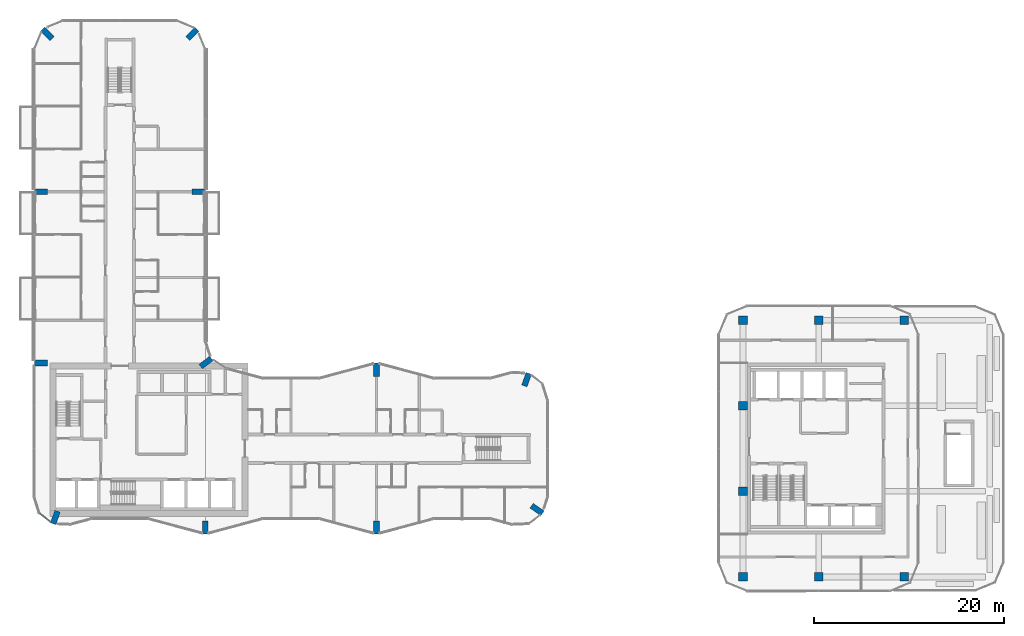
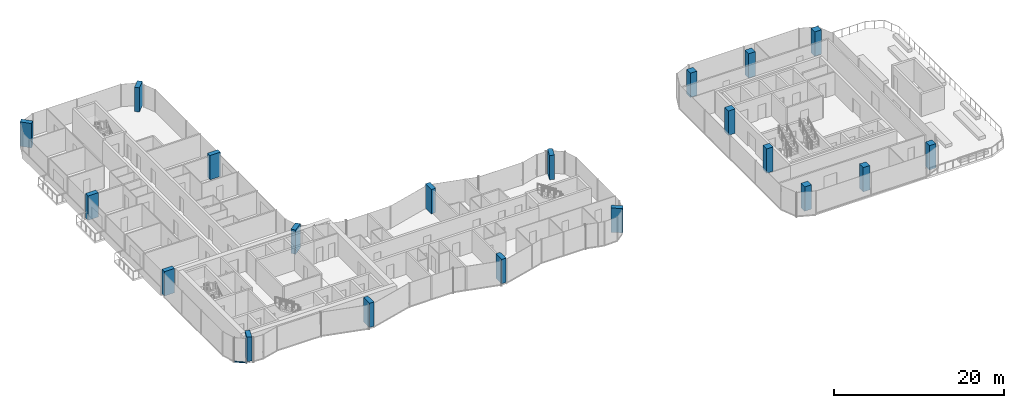
# One storey, part 1 of 22: 20 columns, 1 member, 1 element without a shape of its own.
"""IFC4 building model written with IfcOpenShell, lengths in metres."""

import ifcopenshell
import ifcopenshell.guid

model = None  # the IFC model being written
_history = None  # IfcOwnerHistory: only IFC2X3 demands one
_inside = {}  # id of a spatial element -> (the spatial element, [elements in it])
_under = {}  # id of a project, library or spatial element -> (it, [spatial elements below it])
_declared = {}  # id of a project -> (the project, [libraries it declares])
_typed = {}  # id of a type object -> (the type object, [elements of that type])
_made_of = {}  # id of a material, layer set ... -> (it, [elements and type objects made of it])


def new_model(schema):
    """Start an empty IFC model of exactly this schema.

    Asked for "IFC4X3", IfcOpenShell would pick the latest addendum, in which some entities
    have other attributes; the version numbers below select the first issue.
    IFC2X3 requires an IfcOwnerHistory on every rooted entity: one is made here for all.
    """
    global model, _history
    if schema == "IFC4X3":
        model = ifcopenshell.file(schema_version=(4, 3, 0, 0))
    else:
        model = ifcopenshell.file(schema=schema)
    _inside.clear()
    _under.clear()
    _declared.clear()
    _typed.clear()
    _made_of.clear()
    _history = None
    if model.schema == "IFC2X3":
        org = make("IfcOrganization", Name="unknown")
        user = make(
            "IfcPersonAndOrganization",
            ThePerson=make("IfcPerson", FamilyName="unknown"),
            TheOrganization=org,
        )
        app = make(
            "IfcApplication",
            ApplicationDeveloper=org,
            Version="unknown",
            ApplicationFullName="unknown",
            ApplicationIdentifier="unknown",
        )
        _history = make(
            "IfcOwnerHistory",
            OwningUser=user,
            OwningApplication=app,
            ChangeAction="ADDED",
            CreationDate=0,
        )
    return model


def make(cls, **values):
    """One entity of the class cls with the attributes given. An attribute that is None is left unset."""
    return model.create_entity(
        cls, **{name: value for name, value in values.items() if value is not None}
    )


def rooted(cls, **values):
    """An entity with a GlobalId (a new one), such as an element, a storey or a relation."""
    return make(cls, GlobalId=ifcopenshell.guid.new(), OwnerHistory=_history, **values)


def si_unit(unit_type, name, prefix=None):
    """IfcSIUnit, for example si_unit("LENGTHUNIT", "METRE", prefix="MILLI")."""
    return make("IfcSIUnit", UnitType=unit_type, Prefix=prefix, Name=name)


def assignment(units):
    """IfcUnitAssignment: the units of a project."""
    return None if units is None else make("IfcUnitAssignment", Units=units)


def point(xyz):
    """IfcCartesianPoint."""
    return None if xyz is None else make("IfcCartesianPoint", Coordinates=xyz)


def direction(xyz):
    """IfcDirection."""
    return None if xyz is None else make("IfcDirection", DirectionRatios=xyz)


def frame(location, z_axis=None, x_axis=None):
    """IfcAxis2Placement3D, a coordinate frame: its origin and axes. An axis left out is left unset."""
    return make(
        "IfcAxis2Placement3D",
        Location=point(location),
        Axis=direction(z_axis),
        RefDirection=direction(x_axis),
    )


def frame_2d(location, x_axis=None):
    """IfcAxis2Placement2D, a coordinate frame in the plane: its origin and x axis."""
    return make(
        "IfcAxis2Placement2D", Location=point(location), RefDirection=direction(x_axis)
    )


def origin():
    """The frame at (0, 0, 0) with its axes left unset."""
    return frame((0.0, 0.0, 0.0))


def origin_2d():
    """The frame at (0, 0) in the plane with its x axis left unset."""
    return frame_2d((0.0, 0.0))


def place(relative_to, where):
    """IfcLocalPlacement: puts the frame where relative to a parent placement (None: the world)."""
    return make(
        "IfcLocalPlacement", PlacementRelTo=relative_to, RelativePlacement=where
    )


def context(
    kind, dimensions, precision=None, world=None, true_north=None, identifier=None
):
    """IfcGeometricRepresentationContext, for example the 3D "Model" context."""
    return make(
        "IfcGeometricRepresentationContext",
        ContextIdentifier=identifier,
        ContextType=kind,
        CoordinateSpaceDimension=dimensions,
        Precision=precision,
        WorldCoordinateSystem=world,
        TrueNorth=true_north,
    )


def subcontext(parent, identifier, kind, view, scale=None):
    """IfcGeometricRepresentationSubContext, for example "Body" below "Model"."""
    return make(
        "IfcGeometricRepresentationSubContext",
        ContextIdentifier=identifier,
        ContextType=kind,
        ParentContext=parent,
        TargetScale=scale,
        TargetView=view,
    )


def project(units=None, contexts=None):
    """IfcProject with its units and contexts."""
    return rooted(
        "IfcProject",
        Name="project",
        RepresentationContexts=contexts,
        UnitsInContext=assignment(units),
    )


def spatial(cls, under=None, at=None, **own):
    """A site, building, storey or space (cls), placed at a placement, below another one or the project."""
    s = rooted(cls, ObjectPlacement=at, **own)
    if under is not None:
        _under.setdefault(under.id(), (under, []))[1].append(s)
    return s


def profile(cls, at=None, kind="AREA", **sizes):
    """A parametric profile (cls). Its sizes go by their IFC names, for example OverallWidth=200.0."""
    return make(cls, ProfileType=kind, Position=at, **sizes)


def rectangle(**sizes):
    """IfcRectangleProfileDef."""
    return profile("IfcRectangleProfileDef", **sizes)


def extrude(swept, where, along, depth):
    """IfcExtrudedAreaSolid: the profile swept, set in the frame where, extruded along a direction by depth."""
    return make(
        "IfcExtrudedAreaSolid",
        SweptArea=swept,
        Position=where,
        ExtrudedDirection=direction(along),
        Depth=depth,
    )


def shape(context_of_items, identifier, shape_type, items):
    """IfcShapeRepresentation: the items that make up one representation, for example the "Body"."""
    return make(
        "IfcShapeRepresentation",
        ContextOfItems=context_of_items,
        RepresentationIdentifier=identifier,
        RepresentationType=shape_type,
        Items=items,
    )


def material(Name=None, Category=None):
    """IfcMaterial."""
    return make("IfcMaterial", Name=Name, Category=Category)


def layer(
    of_material, thickness, ventilated=None, Name=None, Category=None, Priority=None
):
    """IfcMaterialLayer: one layer of a wall or slab, of a material (None: an air gap)."""
    return make(
        "IfcMaterialLayer",
        Material=of_material,
        LayerThickness=thickness,
        IsVentilated=ventilated,
        Name=Name,
        Category=Category,
        Priority=Priority,
    )


def layer_set(layers, Name=None):
    """IfcMaterialLayerSet."""
    return make("IfcMaterialLayerSet", MaterialLayers=layers, LayerSetName=Name)


def material_profile(
    of_material, cross_section, Name=None, Category=None, Priority=None
):
    """IfcMaterialProfile: a cross section and its material."""
    return make(
        "IfcMaterialProfile",
        Name=Name,
        Material=of_material,
        Profile=cross_section,
        Priority=Priority,
        Category=Category,
    )


def profile_set(profiles, Name=None, composite=None):
    """IfcMaterialProfileSet."""
    return make(
        "IfcMaterialProfileSet",
        Name=Name,
        MaterialProfiles=profiles,
        CompositeProfile=composite,
    )


def made_of(thing, what):
    """Note that an element or type object is made of a material, layer set ...; save() writes the relation."""
    if what is not None:
        _made_of.setdefault(what.id(), (what, []))[1].append(thing)
    return thing


def type_object(cls, material=None, **own):
    """A type object (cls), such as IfcWallType, which elements share."""
    return made_of(rooted(cls, **own), material)


def element(
    cls,
    number,
    at=None,
    inside=None,
    cuts=None,
    type_object=None,
    material=None,
    context=None,
    identifier="Body",
    shape_type=None,
    held_by="IfcProductDefinitionShape",
    body=None,
    shapes=None,
    **own,
):
    """One element of the class cls, such as IfcWall. Its Tag is "e" and its number.

    at: its placement. inside: the storey or other place that contains it. cuts: it is an
    opening in that element (IfcRelVoidsElement). A single representation is given by context,
    identifier, shape_type and body (its items); several are given by shapes. held_by: the class
    of the entity that holds the representations. save() writes the other relations.
    """
    e = rooted(cls, Tag="e%d" % number, ObjectPlacement=at, **own)
    if body is not None:
        shapes = [shape(context, identifier, shape_type, body)]
    if shapes is not None:
        e.Representation = make(held_by, Representations=shapes)
    if inside is not None:
        _inside.setdefault(inside.id(), (inside, []))[1].append(e)
    if cuts is not None:
        rooted(
            "IfcRelVoidsElement", RelatingBuildingElement=cuts, RelatedOpeningElement=e
        )
    if type_object is not None:
        _typed.setdefault(type_object.id(), (type_object, []))[1].append(e)
    return made_of(e, material)


def aggregate(whole, parts):
    """IfcRelAggregates: a whole, such as a stair, and the parts it consists of."""
    return rooted("IfcRelAggregates", RelatingObject=whole, RelatedObjects=parts)


def save(model, path):
    """Write the relations noted so far, then the file.

    IfcRelAggregates (storeys below a building ...), IfcRelContainedInSpatialStructure (elements
    in a storey), IfcRelDefinesByType, IfcRelAssociatesMaterial and IfcRelDeclares: one each for
    every whole, place, type object, material and project.
    """
    for whole, parts in _under.values():
        aggregate(whole, parts)
    for where, things in _inside.values():
        rooted(
            "IfcRelContainedInSpatialStructure",
            RelatedElements=things,
            RelatingStructure=where,
        )
    for kind, things in _typed.values():
        rooted("IfcRelDefinesByType", RelatedObjects=things, RelatingType=kind)
    for what, things in _made_of.values():
        rooted("IfcRelAssociatesMaterial", RelatedObjects=things, RelatingMaterial=what)
    for by, libraries in _declared.values():
        rooted("IfcRelDeclares", RelatingContext=by, RelatedDefinitions=libraries)
    model.write(path)


model = new_model("IFC4")

# Units and contexts
model_context = context("Model", 3, precision=1e-05, world=origin(), true_north=direction((0.0, 1.0)))
body_context = subcontext(model_context, "Body", "Model", "MODEL_VIEW")
ifc_project = project(units=[si_unit("LENGTHUNIT", "METRE"), si_unit("AREAUNIT", "SQUARE_METRE"), si_unit("VOLUMEUNIT", "CUBIC_METRE"), si_unit("PLANEANGLEUNIT", "RADIAN"), si_unit("MASSUNIT", "GRAM", prefix="KILO")], contexts=[model_context])

# Site, building, storey
site_placement = place(None, origin())
site = spatial("IfcSite", under=ifc_project, at=site_placement, CompositionType="ELEMENT")
building_placement = place(site_placement, origin())
building = spatial("IfcBuilding", under=site, at=building_placement, Name="Plateau Cross Towers", CompositionType="ELEMENT")
storey_placement = place(building_placement, frame((0.0, 0.0, 116.800048828125)))
storey = spatial("IfcBuildingStorey", under=building, at=storey_placement, Name="L30", CompositionType="ELEMENT", Elevation=116.800048828125)

# Columns
ifc_material_1 = material(Name="Concrete C60/75", Category="concrete")
ifc_material_profile_1 = material_profile(ifc_material_1, rectangle(XDim=0.60009765625, YDim=1.39990234375, at=origin_2d()), Name="RC 600x1400")
ifc_profile_set_1 = profile_set([ifc_material_profile_1], Name="Concrete C60/75")
column_type_1 = type_object("IfcColumnType", Name="Fin pier column RC 600x1400", PredefinedType="COLUMN", material=ifc_profile_set_1)
for number, where, z_axis, x_axis, name in (
    (1, (18.0, 0.699951171875, 0.0), (0.0, 0.0, 1.0), (1.0, 0.0, 0.0), "PR1 L30"),
    (2, (36.0, 0.699951171875, 0.0), (0.0, 0.0, 1.0), (1.0, 0.0, 0.0), "PR2 L30"),
    (3, (52.884033203125, 2.590087890625, 0.0), (0.0, 0.0, 1.0), (0.573542637991, 0.819175709117, 0.0), "PR3 L30"),
    (4, (51.786865234375, 16.251953125, 0.0), (0.0, 0.0, 1.0), (-0.939664280925, 0.342097996418, 0.0), "PR4 L30"),
    (5, (36.0, 17.300048828125, 0.0), (0.0, 0.0, 1.0), (1.0, 0.0, 0.0), "PR5 L30"),
    (6, (18.064697265625, 18.049560546875, 0.0), (0.0, 0.0, 1.0), (-0.608810846443, 0.793315418515, 0.0), "PR6 L30"),
    (7, (17.300048828125, 36.0, 0.0), (0.0, 0.0, 1.0), (0.0, 1.0, 0.0), "PR7 L30"),
    (8, (16.62646484375, 52.62646484375, 0.0), (0.0, 0.0, 1.0), (-0.707106781187, 0.707106781187, 0.0), "PR8 L30"),
    (9, (1.37353515625, 52.62646484375, 0.0), (0.0, 0.0, 1.0), (0.707106781187, 0.707106781187, 0.0), "PR9 L30"),
    (10, (0.699951171875, 36.0, 0.0), (0.0, 0.0, 1.0), (0.0, 1.0, 0.0), "PR10 L30"),
    (11, (0.699951171875, 18.0, 0.0), (0.0, 0.0, 1.0), (0.0, 1.0, 0.0), "PR11 L30"),
    (12, (2.213134765625, 1.748046875, 0.0), (0.0, 0.0, 1.0), (-0.939664280925, 0.342097996418, 0.0), "PR12 L30"),
):
    element("IfcColumn", number, at=place(storey_placement, frame(where, z_axis=z_axis, x_axis=x_axis)), inside=storey, type_object=column_type_1, Name=name, PredefinedType="COLUMN", context=body_context, shape_type="SweptSolid", body=[
        extrude(rectangle(XDim=0.60009765625, YDim=1.39990234375, at=origin_2d()), origin(), (0.0, 0.0, 1.0), 3.5),
    ])
ifc_material_profile_2 = material_profile(ifc_material_1, rectangle(XDim=0.89990234375, YDim=0.89990234375, at=origin_2d()), Name="RC 900x900")
ifc_profile_set_2 = profile_set([ifc_material_profile_2], Name="Concrete C60/75")
column_type_2 = type_object("IfcColumnType", Name="Office column RC 900x900", PredefinedType="COLUMN", material=ifc_profile_set_2)
for number, where, z_axis, x_axis, name in (
    (13, (74.550048828125, -4.5, 0.0), (0.0, 0.0, 1.0), (1.0, 0.0, 0.0), "B-C746_-45 L30"),
    (14, (82.5, -4.5, 0.0), (0.0, 0.0, 1.0), (1.0, 0.0, 0.0), "B-C825_-45 L30"),
    (15, (91.5, -4.5, 0.0), (0.0, 0.0, 1.0), (1.0, 0.0, 0.0), "B-C915_-45 L30"),
    (16, (91.5, 22.5, 0.0), (0.0, 0.0, 1.0), (1.0, 0.0, 0.0), "B-C915_225 L30"),
    (17, (82.5, 22.5, 0.0), (0.0, 0.0, 1.0), (1.0, 0.0, 0.0), "B-C825_225 L30"),
    (18, (74.550048828125, 22.5, 0.0), (0.0, 0.0, 1.0), (1.0, 0.0, 0.0), "B-C746_225 L30"),
    (19, (74.550048828125, 13.5, 0.0), (0.0, 0.0, 1.0), (1.0, 0.0, 0.0), "B-C746_135 L30"),
    (20, (74.550048828125, 4.5, 0.0), (0.0, 0.0, 1.0), (1.0, 0.0, 0.0), "B-C746_45 L30"),
):
    element("IfcColumn", number, at=place(storey_placement, frame(where, z_axis=z_axis, x_axis=x_axis)), inside=storey, type_object=column_type_2, Name=name, PredefinedType="COLUMN", context=body_context, shape_type="SweptSolid", body=[
        extrude(rectangle(XDim=0.89990234375, YDim=0.89990234375, at=origin_2d()), origin(), (0.0, 0.0, 1.0), 3.5),
    ])

# Curtain wall, member
ifc_material_2 = material(Name="Dark low-iron glass", Category="glass")
ifc_layer = layer(ifc_material_2, 0.239990234375)
ifc_layer_set = layer_set([ifc_layer], Name="Dark low-iron glass")
curtain_wall_type = type_object("IfcCurtainWallType", Name="Curtain wall flush unitised CW-B", PredefinedType="NOTDEFINED", material=ifc_layer_set)
curtain_wall_placement = place(storey_placement, origin())
curtain_wall = element("IfcCurtainWall", 21, at=curtain_wall_placement, inside=storey, type_object=curtain_wall_type, Name="ENV/A/L30/A5_22", PredefinedType="NOTDEFINED")
ifc_material_3 = material(Name="Black anodised aluminium", Category="aluminium")
ifc_material_profile_3 = material_profile(ifc_material_3, rectangle(XDim=0.10009765625, YDim=0.1201171875, at=origin_2d()), Name="TRANSOM 100x120")
ifc_profile_set_3 = profile_set([ifc_material_profile_3], Name="Black anodised aluminium")
member_type = type_object("IfcMemberType", Name="Transom 100x120 flush unitised", PredefinedType="USERDEFINED", material=ifc_profile_set_3)
member_placement = place(storey_placement, frame((0.54248046875, 2.1884765625, -0.18994140625), z_axis=(0.793320508571, -0.608804213751, 0.0), x_axis=(0.608804213751, 0.793320508571, 0.0)))
member = element("IfcMember", 22, at=member_placement, type_object=member_type, Name="CW-B transom", ObjectType="TRANSOM", PredefinedType="USERDEFINED", context=body_context, shape_type="SweptSolid", body=[
    extrude(rectangle(XDim=0.10009765625, YDim=0.1201171875, at=origin_2d()), origin(), (0.0, 0.0, 1.0), 1.471435546875),
])
aggregate(curtain_wall, [member])

save(model, "model.ifc")
